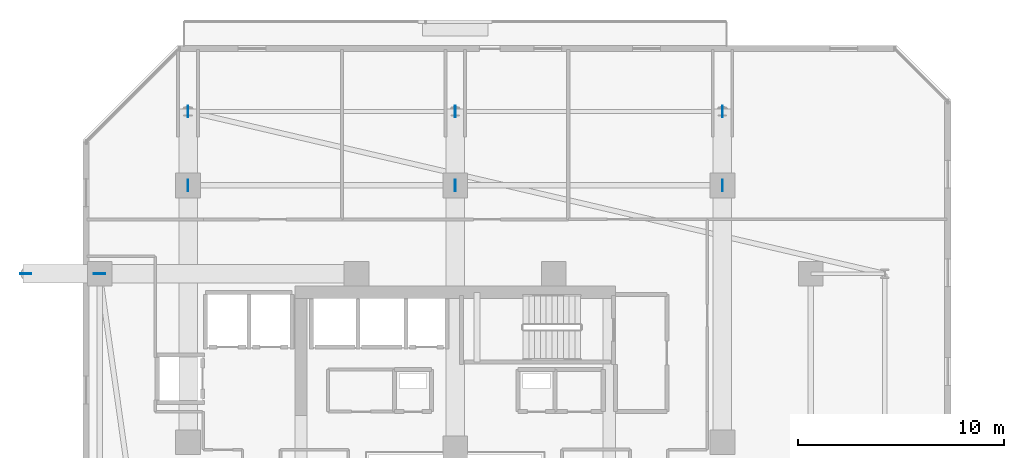
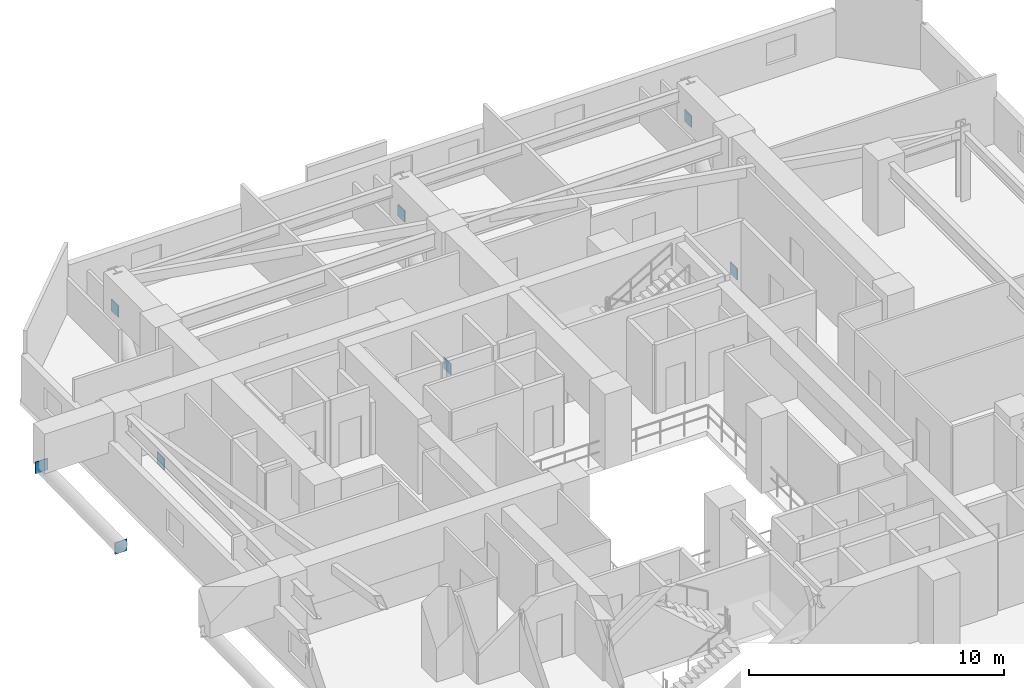
# One storey, part 19 of 36: 8 plates.
"""IFC4 building model written with IfcOpenShell, lengths in metres."""

from ifc_helpers import new_model, si_unit, direction, frame, origin, origin_2d, place, context, subcontext, project, spatial, rectangle, extrude, material, layer, layer_set, type_object, element, save


model = new_model("IFC4")

# Units and contexts
model_context = context("Model", 3, precision=1e-05, world=origin(), true_north=direction((0.0, 1.0)))
body_context = subcontext(model_context, "Body", "Model", "MODEL_VIEW")
ifc_project = project(units=[si_unit("LENGTHUNIT", "METRE"), si_unit("AREAUNIT", "SQUARE_METRE"), si_unit("VOLUMEUNIT", "CUBIC_METRE"), si_unit("PLANEANGLEUNIT", "RADIAN"), si_unit("MASSUNIT", "GRAM", prefix="KILO")], contexts=[model_context])

# Site, building, storey
site_placement = place(None, origin())
site = spatial("IfcSite", under=ifc_project, at=site_placement, CompositionType="ELEMENT")
building_placement = place(site_placement, origin())
building = spatial("IfcBuilding", under=site, at=building_placement, Name="Thornwick Lancets Civic Towers", CompositionType="ELEMENT")
storey_placement = place(building_placement, frame((0.0, 0.0, 94.5)))
storey = spatial("IfcBuildingStorey", under=building, at=storey_placement, Name="L24", CompositionType="ELEMENT", Elevation=94.5)

# Plates
ifc_material = material(Name="Steel S460M", Category="steel")
ifc_layer = layer(ifc_material, 0.0400390625, Name="Steel S460M")
ifc_layer_set = layer_set([ifc_layer], Name="Steel S460M")
plate_type = type_object("IfcPlateType", Name="PLT_GUSSET_40", PredefinedType="USERDEFINED", material=ifc_layer_set)
for number, where, z_axis, x_axis, name in (
    (1, (12.5, 44.300048828125, -3.625), (0.0, 0.0, 1.0), (0.0, 1.0, 0.0), "L24 Brace Connection Gusset Plate 0131"),
    (2, (12.5, 47.89990234375, 1.5048828125), (0.0, 0.0, 1.0), (0.0, 1.0, 0.0), "L24 Brace Connection Gusset Plate 0132"),
    (3, (25.5, 44.300048828125, -3.625), (0.0, 0.0, 1.0), (0.0, 1.0, 0.0), "L24 Brace Connection Gusset Plate 0133"),
    (4, (25.5, 47.89990234375, 1.5048828125), (0.0, 0.0, 1.0), (0.0, 1.0, 0.0), "L24 Brace Connection Gusset Plate 0134"),
    (5, (38.5, 44.300048828125, -3.625), (0.0, 0.0, 1.0), (0.0, 1.0, 0.0), "L24 Brace Connection Gusset Plate 0135"),
    (6, (38.5, 47.89990234375, 1.5048828125), (0.0, 0.0, 1.0), (0.0, 1.0, 0.0), "L24 Brace Connection Gusset Plate 0136"),
    (7, (8.199951171875, 40.0, -3.625), (0.0, 0.0, 1.0), (-1.0, 0.0, 0.0), "L24 Brace Connection Gusset Plate 0141"),
    (8, (4.60009765625, 40.0, 1.5048828125), (0.0, 0.0, 1.0), (-1.0, 0.0, 0.0), "L24 Brace Connection Gusset Plate 0142"),
):
    element("IfcPlate", number, at=place(storey_placement, frame(where, z_axis=z_axis, x_axis=x_axis)), inside=storey, type_object=plate_type, Name=name, ObjectType="GUSSET_PLATE", PredefinedType="USERDEFINED", context=body_context, shape_type="SweptSolid", body=[
        extrude(rectangle(XDim=0.550048828125, YDim=0.0400390625, at=origin_2d()), origin(), (0.0, 0.0, 1.0), 0.550048828125),
    ])

save(model, "model.ifc")
